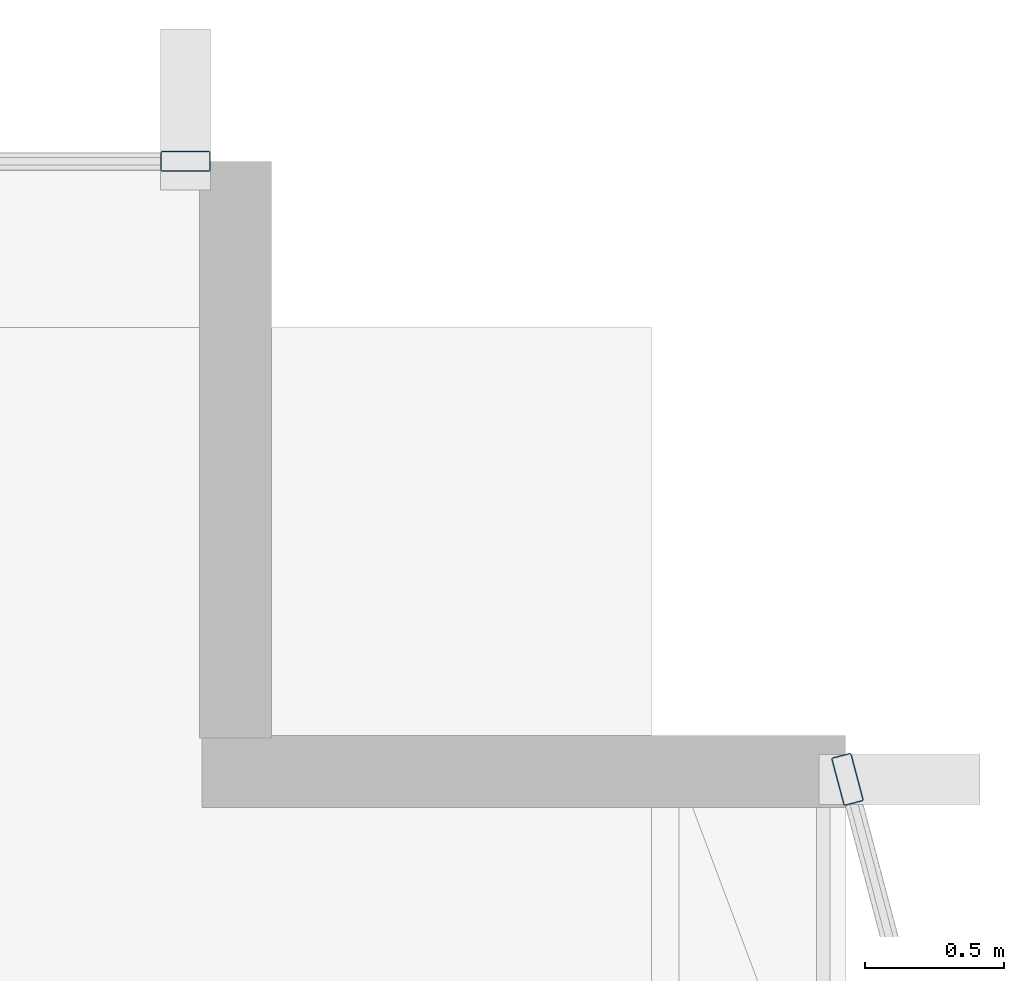
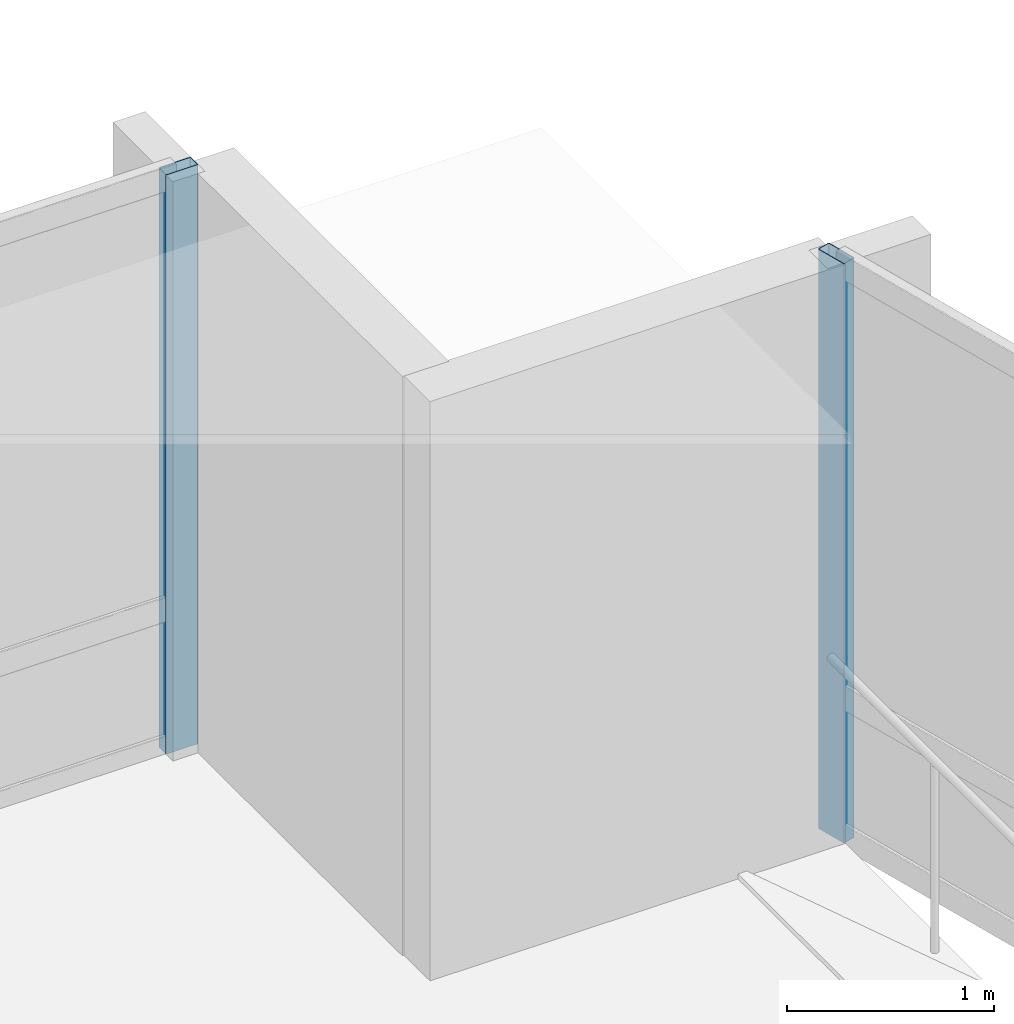
# One storey, part 14 of 27: 2 members, 2 elements without a shape of their own.
"""IFC4 building model written with IfcOpenShell, lengths in metres."""

from ifc_helpers import new_model, si_unit, direction, frame, origin, origin_2d, place, context, subcontext, project, spatial, hollow_rectangle, extrude, material, layer, layer_set, material_profile, profile_set, type_object, element, aggregate, save


model = new_model("IFC4")

# Units and contexts
model_context = context("Model", 3, precision=1e-05, world=origin(), true_north=direction((0.0, 1.0)))
body_context = subcontext(model_context, "Body", "Model", "MODEL_VIEW")
ifc_project = project(units=[si_unit("LENGTHUNIT", "METRE"), si_unit("AREAUNIT", "SQUARE_METRE"), si_unit("VOLUMEUNIT", "CUBIC_METRE"), si_unit("PLANEANGLEUNIT", "RADIAN"), si_unit("MASSUNIT", "GRAM", prefix="KILO")], contexts=[model_context])

# Site, building, storey
site_placement = place(None, origin())
site = spatial("IfcSite", under=ifc_project, at=site_placement, CompositionType="ELEMENT")
building_placement = place(site_placement, origin())
building = spatial("IfcBuilding", under=site, at=building_placement, Name="Solvaryn Broadcast Tower", CompositionType="ELEMENT")
storey_placement = place(building_placement, frame((0.0, 0.0, 221.0)))
storey = spatial("IfcBuildingStorey", under=building, at=storey_placement, Name="L55", CompositionType="ELEMENT", Elevation=221.0)

# Curtain wall, member
ifc_material_1 = material(Name="Aluminium and Terracotta Unitised Curtain Wall", Category="masonry")
ifc_layer = layer(ifc_material_1, 0.199951171875)
ifc_layer_set = layer_set([ifc_layer], Name="CW-SYS2-LOWMID")
curtain_wall_type = type_object("IfcCurtainWallType", Name="CW-SYS2-LOWMID", PredefinedType="NOTDEFINED", material=ifc_layer_set)
curtain_wall_1_placement = place(storey_placement, origin())
curtain_wall_1 = element("IfcCurtainWall", 1, at=curtain_wall_1_placement, inside=storey, type_object=curtain_wall_type, Name="L55 Curtain Wall ET1", PredefinedType="NOTDEFINED")
ifc_material_2 = material(Name="Anodised Aluminium 6063-T6", Category="aluminium")
ifc_material_profile = material_profile(ifc_material_2, hollow_rectangle(XDim=0.074951171875, YDim=0.179931640625, WallThickness=0.00390625, InnerFilletRadius=0.00390625, OuterFilletRadius=0.008056640625, at=origin_2d()))
ifc_profile_set = profile_set([ifc_material_profile], Name="Anodised Aluminium 6063-T6")
member_type = type_object("IfcMemberType", Name="CW-MUL-180", PredefinedType="MULLION", material=ifc_profile_set)
member_1_placement = place(storey_placement, frame((54.007568359375, 24.77099609375, 0.0), z_axis=(0.0, 0.0, 1.0), x_axis=(0.966705227863, 0.25589256031, 0.0)))
member_1 = element("IfcMember", 2, at=member_1_placement, type_object=member_type, Name="CWS2 mullion 1", PredefinedType="MULLION", context=body_context, shape_type="SweptSolid", body=[
    extrude(hollow_rectangle(XDim=0.074951171875, YDim=0.179931640625, WallThickness=0.00390625, InnerFilletRadius=0.00390625, OuterFilletRadius=0.008056640625, at=origin_2d()), origin(), (0.0, 0.0, 1.0), 3.419921875),
])
aggregate(curtain_wall_1, [member_1])

curtain_wall_2_placement = place(storey_placement, origin())
curtain_wall_2 = element("IfcCurtainWall", 3, at=curtain_wall_2_placement, inside=storey, type_object=curtain_wall_type, Name="L55 Curtain Wall IH", PredefinedType="NOTDEFINED")
member_2_placement = place(storey_placement, frame((51.6201171875, 27.0, 0.0), z_axis=(0.0, 0.0, 1.0), x_axis=(0.0, 1.0, 0.0)))
member_2 = element("IfcMember", 4, at=member_2_placement, type_object=member_type, Name="CWS2 mullion 2", PredefinedType="MULLION", context=body_context, shape_type="SweptSolid", body=[
    extrude(hollow_rectangle(XDim=0.074951171875, YDim=0.179931640625, WallThickness=0.00390625, InnerFilletRadius=0.00390625, OuterFilletRadius=0.008056640625, at=origin_2d()), origin(), (0.0, 0.0, 1.0), 3.419921875),
])
aggregate(curtain_wall_2, [member_2])

save(model, "model.ifc")
